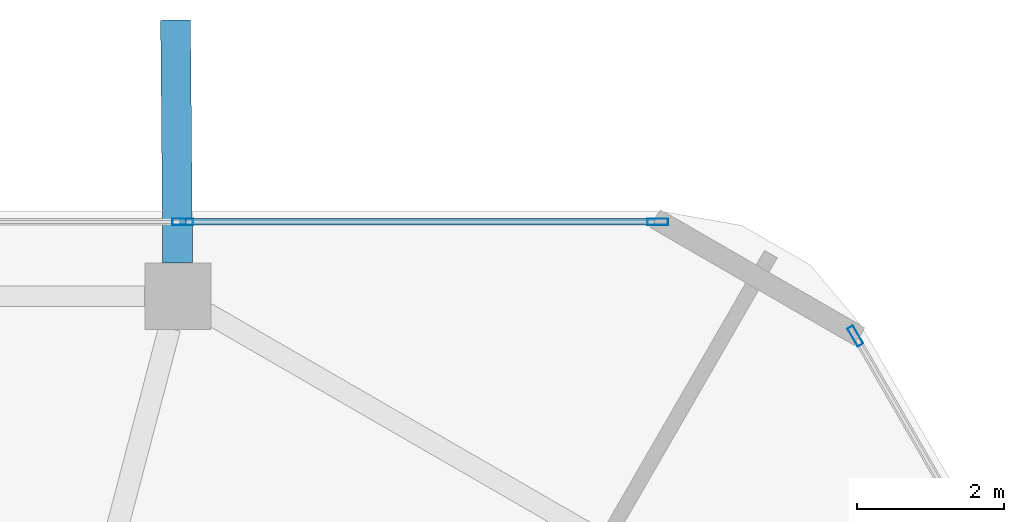
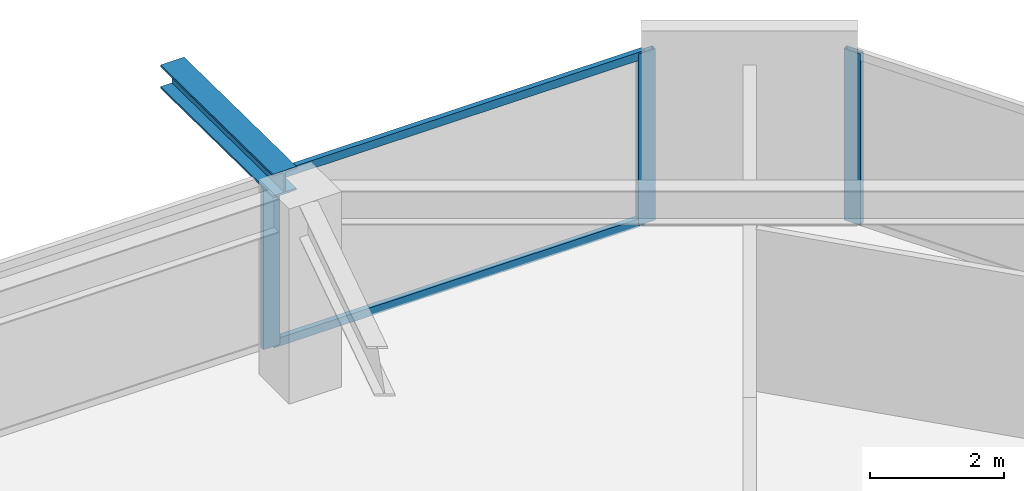
# One storey, part 16 of 25: 5 members, 1 beam, 2 elements without a shape of their own.
"""IFC4 building model written with IfcOpenShell, lengths in metres."""

from ifc_helpers import new_model, si_unit, direction, frame, origin, origin_2d, place, context, subcontext, project, spatial, hollow_rectangle, i_section, extrude, material, material_profile, profile_set, type_object, element, aggregate, save


model = new_model("IFC4")

# Units and contexts
model_context = context("Model", 3, precision=1e-05, world=origin(), true_north=direction((0.0, 1.0)))
body_context = subcontext(model_context, "Body", "Model", "MODEL_VIEW")
ifc_project = project(units=[si_unit("LENGTHUNIT", "METRE"), si_unit("AREAUNIT", "SQUARE_METRE"), si_unit("VOLUMEUNIT", "CUBIC_METRE"), si_unit("PLANEANGLEUNIT", "RADIAN"), si_unit("MASSUNIT", "GRAM", prefix="KILO")], contexts=[model_context])

# Site, building, storey
site_placement = place(None, origin())
site = spatial("IfcSite", under=ifc_project, at=site_placement, CompositionType="ELEMENT")
building_placement = place(site_placement, origin())
building = spatial("IfcBuilding", under=site, at=building_placement, Name="Zuhravey Tower", CompositionType="ELEMENT")
storey_placement = place(building_placement, frame((0.0, 0.0, 235.0)))
storey = spatial("IfcBuildingStorey", under=building, at=storey_placement, Name="L59", CompositionType="ELEMENT", Elevation=235.0)

# Curtain wall, members
ifc_material_1 = material(Name="Thermally broken anodised aluminium", Category="aluminium")
curtain_wall_type = type_object("IfcCurtainWallType", Name="Zone 3-4 High-Rise Curtain Wall CW4", PredefinedType="NOTDEFINED", material=ifc_material_1)
curtain_wall_1_placement = place(storey_placement, origin())
curtain_wall_1 = element("IfcCurtainWall", 1, at=curtain_wall_1_placement, inside=storey, type_object=curtain_wall_type, Name="L59 CW4 CW-L59-F2-1", PredefinedType="NOTDEFINED")
ifc_material_2 = material(Name="Anodised aluminium", Category="aluminium")
ifc_material_profile_1 = material_profile(ifc_material_2, hollow_rectangle(XDim=0.090087890625, YDim=0.284912109375, WallThickness=0.0048828125, at=origin_2d()), Name="ALU-RHS-90x285x5")
ifc_profile_set_1 = profile_set([ifc_material_profile_1], Name="Anodised aluminium")
member_type_1 = type_object("IfcMemberType", Name="Curtain-Wall Mullion 90x180", PredefinedType="MULLION", material=ifc_profile_set_1)
member_1_placement = place(storey_placement, frame((42.50634765625, 57.563720703125, 0.0), z_axis=(0.0, 0.0, 1.0), x_axis=(0.0, 1.0, 0.0)))
member_1 = element("IfcMember", 2, at=member_1_placement, type_object=member_type_1, Name="CW4 mullion 4", PredefinedType="MULLION", context=body_context, shape_type="SweptSolid", body=[
    extrude(hollow_rectangle(XDim=0.090087890625, YDim=0.284912109375, WallThickness=0.0048828125, at=origin_2d()), origin(), (0.0, 0.0, 1.0), 3.1220703125),
])
member_2_placement = place(storey_placement, frame((48.9677734375, 57.563720703125, 0.0), z_axis=(0.0, 0.0, 1.0), x_axis=(0.0, 1.0, 0.0)))
member_2 = element("IfcMember", 3, at=member_2_placement, type_object=member_type_1, Name="CW4 mullion 5", PredefinedType="MULLION", context=body_context, shape_type="SweptSolid", body=[
    extrude(hollow_rectangle(XDim=0.090087890625, YDim=0.284912109375, WallThickness=0.0048828125, at=origin_2d()), origin(), (0.0, 0.0, 1.0), 3.1220703125),
])

# Curtain wall, member
curtain_wall_2_placement = place(storey_placement, origin())
curtain_wall_2 = element("IfcCurtainWall", 4, at=curtain_wall_2_placement, inside=storey, type_object=curtain_wall_type, Name="L59 CW4 CW-L59-F1-1", PredefinedType="NOTDEFINED")
member_3_placement = place(storey_placement, frame((51.65478515625, 56.01220703125, 0.0), z_axis=(0.0, 0.0, 1.0), x_axis=(0.866024851021, 0.500000957414, 0.0)))
member_3 = element("IfcMember", 5, at=member_3_placement, type_object=member_type_1, Name="CW4 mullion 1", PredefinedType="MULLION", context=body_context, shape_type="SweptSolid", body=[
    extrude(hollow_rectangle(XDim=0.090087890625, YDim=0.284912109375, WallThickness=0.0048828125, at=origin_2d()), origin(), (0.0, 0.0, 1.0), 3.1220703125),
])
aggregate(curtain_wall_2, [member_3])

# Member
ifc_material_profile_2 = material_profile(ifc_material_2, hollow_rectangle(XDim=0.090087890625, YDim=0.14990234375, WallThickness=0.0048828125, at=origin_2d()), Name="ALU-RHS-90x150x5")
ifc_profile_set_2 = profile_set([ifc_material_profile_2], Name="Anodised aluminium")
member_type_2 = type_object("IfcMemberType", Name="Curtain-Wall Transom 90x150", PredefinedType="USERDEFINED", material=ifc_profile_set_2)
member_4_placement = place(storey_placement, frame((42.55126953125, 57.563720703125, 0.044921875), z_axis=(1.0, 0.0, 0.0), x_axis=(0.0, 1.0, 0.0)))
member_4 = element("IfcMember", 6, at=member_4_placement, type_object=member_type_2, Name="CW4 transom 4.1", ObjectType="TRANSOM", PredefinedType="USERDEFINED", context=body_context, shape_type="SweptSolid", body=[
    extrude(hollow_rectangle(XDim=0.090087890625, YDim=0.14990234375, WallThickness=0.0048828125, at=origin_2d()), origin(), (0.0, 0.0, 1.0), 6.371337890625),
])

member_5_placement = place(storey_placement, frame((42.55126953125, 57.563720703125, 3.076904296875), z_axis=(1.0, 0.0, 0.0), x_axis=(0.0, 1.0, 0.0)))
member_5 = element("IfcMember", 7, at=member_5_placement, type_object=member_type_2, Name="CW4 transom 4.2", ObjectType="TRANSOM", PredefinedType="USERDEFINED", context=body_context, shape_type="SweptSolid", body=[
    extrude(hollow_rectangle(XDim=0.090087890625, YDim=0.14990234375, WallThickness=0.0048828125, at=origin_2d()), origin(), (0.0, 0.0, 1.0), 6.371337890625),
])

aggregate(curtain_wall_1, [member_1, member_2, member_4, member_5])

# Beam
ifc_material_3 = material(Name="Steel SM460", Category="steel")
ifc_material_profile_3 = material_profile(ifc_material_3, i_section(OverallWidth=0.406982421875, OverallDepth=0.427978515625, WebThickness=0.02001953125, FlangeThickness=0.034912109375, at=origin_2d()), Name="H-428x407x20x35")
ifc_profile_set_3 = profile_set([ifc_material_profile_3], Name="Steel SM460")
beam_type = type_object("IfcBeamType", Name="Exoskeleton Node Tie Beam H428x407", PredefinedType="BEAM", material=ifc_profile_set_3)
beam_placement = place(storey_placement, frame((42.43701171875, 57.007568359375, 3.3359375), z_axis=(-0.008874733692, 0.999960618776, 0.0), x_axis=(-0.999960618776, -0.008874733692, 0.0)))
element("IfcBeam", 8, at=beam_placement, inside=storey, type_object=beam_type, Name="L59 Exoskeleton Node Tie NT1-03", PredefinedType="BEAM", context=body_context, shape_type="SweptSolid", body=[
    extrude(i_section(OverallWidth=0.406982421875, OverallDepth=0.427978515625, WebThickness=0.02001953125, FlangeThickness=0.034912109375, at=origin_2d()), origin(), (0.0, 0.0, 1.0), 3.30126953125),
])

save(model, "model.ifc")
